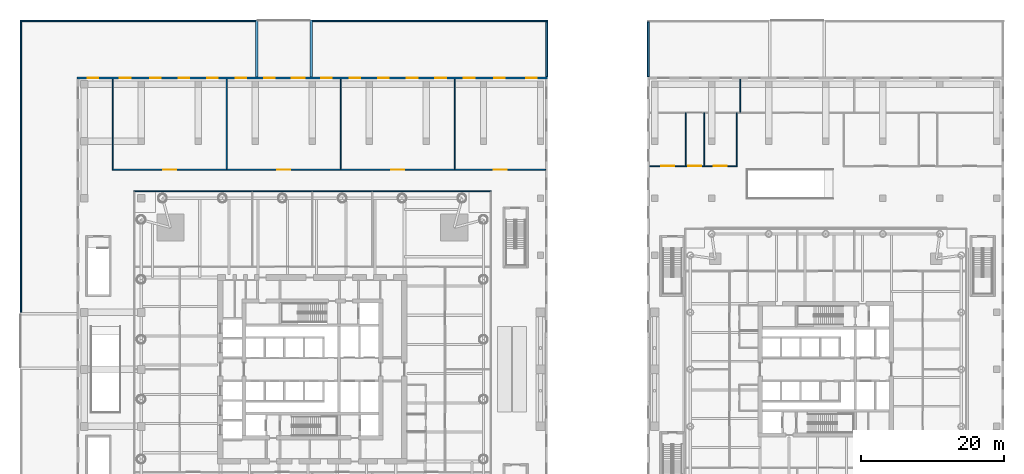
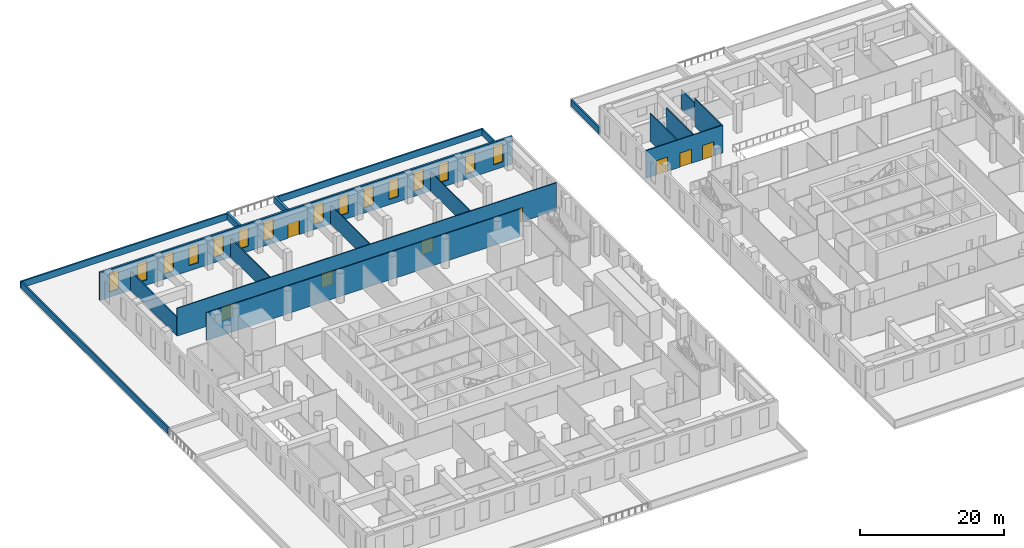
# One storey, part 18 of 26: 19 walls, 15 windows, 8 doors, 23 openings.
"""IFC4 building model written with IfcOpenShell, lengths in metres."""

from ifc_helpers import new_model, si_unit, direction, frame, frame_2d, origin, place, context, subcontext, project, spatial, rectangle, extrude, material, layer, layer_set, type_object, element, fill, save


model = new_model("IFC4")

# Units and contexts
model_context = context("Model", 3, precision=1e-05, world=origin(), true_north=direction((0.0, 1.0)))
body_context = subcontext(model_context, "Body", "Model", "MODEL_VIEW")
ifc_project = project(units=[si_unit("LENGTHUNIT", "METRE"), si_unit("AREAUNIT", "SQUARE_METRE"), si_unit("VOLUMEUNIT", "CUBIC_METRE"), si_unit("PLANEANGLEUNIT", "RADIAN"), si_unit("MASSUNIT", "GRAM", prefix="KILO")], contexts=[model_context])

# Site, building, storey
site_placement = place(None, origin())
site = spatial("IfcSite", under=ifc_project, at=site_placement, CompositionType="ELEMENT")
building_placement = place(site_placement, origin())
building = spatial("IfcBuilding", under=site, at=building_placement, Name="Ostroluk Exchange", CompositionType="ELEMENT")
storey_placement = place(building_placement, frame((0.0, 0.0, 6.0)))
storey = spatial("IfcBuildingStorey", under=building, at=storey_placement, Name="L01", CompositionType="ELEMENT", Elevation=6.0)

# Walls
ifc_material_1 = material(Name="Limestone", Category="masonry")
ifc_layer_1 = layer(ifc_material_1, 0.25)
ifc_layer_set_1 = layer_set([ifc_layer_1], Name="Green roof parapet 250")
wall_type_1 = type_object("IfcWallType", Name="Green roof parapet 250", PredefinedType="PARAPET", material=ifc_layer_set_1)
wall_1_placement = place(storey_placement, frame((4.125, 54.010009765625, 0.0), z_axis=(0.0, 0.0, 1.0), x_axis=(0.0, 1.0, 0.0)))
element("IfcWall", 1, at=wall_1_placement, inside=storey, type_object=wall_type_1, Name="Green roof parapet L01 1", PredefinedType="PARAPET", context=body_context, shape_type="SweptSolid", body=[
    extrude(rectangle(XDim=40.739990234375, YDim=0.25, at=frame_2d((20.3701171875, 0.0))), origin(), (0.0, 0.0, 1.0), 1.10009765625),
])
for number, where, z_axis, x_axis, name in (
    (2, (4.0, 94.875, 0.0), (0.0, 0.0, 1.0), (1.0, 0.0, 0.0), "Green roof parapet L01 2"),
    (3, (45.010009765625, 94.875, 0.0), (0.0, 0.0, 1.0), (1.0, 0.0, 0.0), "Green roof parapet L01 1"),
):
    element("IfcWall", number, at=place(storey_placement, frame(where, z_axis=z_axis, x_axis=x_axis)), inside=storey, type_object=wall_type_1, Name=name, PredefinedType="PARAPET", context=body_context, shape_type="SweptSolid", body=[
        extrude(rectangle(XDim=32.989990234375, YDim=0.25, at=frame_2d((16.4951171875, 0.0))), origin(), (0.0, 0.0, 1.0), 1.10009765625),
    ])
for number, where, z_axis, x_axis, name in (
    (4, (77.875, 87.010009765625, 0.0), (0.0, 0.0, 1.0), (0.0, 1.0, 0.0), "Green roof parapet L01 2"),
    (5, (92.125, 87.010009765625, 0.0), (0.0, 0.0, 1.0), (0.0, 1.0, 0.0), "Green roof parapet L01 1"),
):
    element("IfcWall", number, at=place(storey_placement, frame(where, z_axis=z_axis, x_axis=x_axis)), inside=storey, type_object=wall_type_1, Name=name, PredefinedType="PARAPET", context=body_context, shape_type="SweptSolid", body=[
        extrude(rectangle(XDim=7.739990234375, YDim=0.25, at=frame_2d((3.8701171875, 0.0))), origin(), (0.0, 0.0, 1.0), 1.10009765625),
    ])

# Wall, openings, windows, door
ifc_material_2 = material(Name="Limestone", Category="masonry")
ifc_layer_2 = layer(ifc_material_2, 0.300048828125)
ifc_layer_set_2 = layer_set([ifc_layer_2], Name="Limestone facade wall 300")
wall_type_2 = type_object("IfcWallType", Name="Limestone facade wall 300", PredefinedType="SOLIDWALL", material=ifc_layer_set_2)
wall_2_placement = place(storey_placement, frame((78.0, 86.85009765625, 0.0), z_axis=(0.0, 0.0, 1.0), x_axis=(-1.0, 0.0, 0.0)))
wall_2 = element("IfcWall", 6, at=wall_2_placement, inside=storey, type_object=wall_type_2, Name="Podium west N wall L01 1a", PredefinedType="SOLIDWALL", context=body_context, shape_type="SweptSolid", body=[
    extrude(rectangle(XDim=66.0, YDim=0.300048828125, at=frame_2d((33.0, 0.0))), origin(), (0.0, 0.0, 1.0), 4.699951171875),
])
opening_1_placement = place(wall_2_placement, frame((1.5, 0.0, 0.89990234375)))
opening_1 = element("IfcOpeningElement", 7, at=opening_1_placement, cuts=wall_2, Name="Opening WN-L2", PredefinedType="OPENING", context=body_context, shape_type="SweptSolid", body=[
    extrude(rectangle(XDim=1.5, YDim=3.199951171875, at=frame_2d((0.75, 1.60009765625))), frame((0.0, 0.159912109375, 0.0), z_axis=(0.0, -1.0, 0.0), x_axis=(1.0, 0.0, 0.0)), (0.0, 0.0, 1.0), 0.320068359375),
])
opening_2_placement = place(wall_2_placement, frame((6.0, 0.0, 0.89990234375)))
opening_2 = element("IfcOpeningElement", 8, at=opening_2_placement, cuts=wall_2, Name="Opening WN-L2", PredefinedType="OPENING", context=body_context, shape_type="SweptSolid", body=[
    extrude(rectangle(XDim=1.5, YDim=3.199951171875, at=frame_2d((0.75, 1.60009765625))), frame((0.0, 0.159912109375, 0.0), z_axis=(0.0, -1.0, 0.0), x_axis=(1.0, 0.0, 0.0)), (0.0, 0.0, 1.0), 0.320068359375),
])
opening_3_placement = place(wall_2_placement, frame((10.25, 0.0, 0.89990234375)))
opening_3 = element("IfcOpeningElement", 9, at=opening_3_placement, cuts=wall_2, Name="Opening WN-L2", PredefinedType="OPENING", context=body_context, shape_type="SweptSolid", body=[
    extrude(rectangle(XDim=1.5, YDim=3.199951171875, at=frame_2d((0.75, 1.60009765625))), frame((0.0, 0.159912109375, 0.0), z_axis=(0.0, -1.0, 0.0), x_axis=(1.0, 0.0, 0.0)), (0.0, 0.0, 1.0), 0.320068359375),
])
opening_4_placement = place(wall_2_placement, frame((14.25, 0.0, 0.89990234375)))
opening_4 = element("IfcOpeningElement", 10, at=opening_4_placement, cuts=wall_2, Name="Opening WN-L2", PredefinedType="OPENING", context=body_context, shape_type="SweptSolid", body=[
    extrude(rectangle(XDim=1.5, YDim=3.199951171875, at=frame_2d((0.75, 1.60009765625))), frame((0.0, 0.159912109375, 0.0), z_axis=(0.0, -1.0, 0.0), x_axis=(1.0, 0.0, 0.0)), (0.0, 0.0, 1.0), 0.320068359375),
])
opening_5_placement = place(wall_2_placement, frame((18.25, 0.0, 0.89990234375)))
opening_5 = element("IfcOpeningElement", 11, at=opening_5_placement, cuts=wall_2, Name="Opening WN-L2", PredefinedType="OPENING", context=body_context, shape_type="SweptSolid", body=[
    extrude(rectangle(XDim=1.5, YDim=3.199951171875, at=frame_2d((0.75, 1.60009765625))), frame((0.0, 0.159912109375, 0.0), z_axis=(0.0, -1.0, 0.0), x_axis=(1.0, 0.0, 0.0)), (0.0, 0.0, 1.0), 0.320068359375),
])
opening_6_placement = place(wall_2_placement, frame((22.25, 0.0, 0.89990234375)))
opening_6 = element("IfcOpeningElement", 12, at=opening_6_placement, cuts=wall_2, Name="Opening WN-L2", PredefinedType="OPENING", context=body_context, shape_type="SweptSolid", body=[
    extrude(rectangle(XDim=1.5, YDim=3.199951171875, at=frame_2d((0.75, 1.60009765625))), frame((0.0, 0.159912109375, 0.0), z_axis=(0.0, -1.0, 0.0), x_axis=(1.0, 0.0, 0.0)), (0.0, 0.0, 1.0), 0.320068359375),
])
opening_7_placement = place(wall_2_placement, frame((26.25, 0.0, 0.89990234375)))
opening_7 = element("IfcOpeningElement", 13, at=opening_7_placement, cuts=wall_2, Name="Opening WN-L2", PredefinedType="OPENING", context=body_context, shape_type="SweptSolid", body=[
    extrude(rectangle(XDim=1.5, YDim=3.199951171875, at=frame_2d((0.75, 1.60009765625))), frame((0.0, 0.159912109375, 0.0), z_axis=(0.0, -1.0, 0.0), x_axis=(1.0, 0.0, 0.0)), (0.0, 0.0, 1.0), 0.320068359375),
])
opening_8_placement = place(wall_2_placement, frame((30.25, 0.0, 0.89990234375)))
opening_8 = element("IfcOpeningElement", 14, at=opening_8_placement, cuts=wall_2, Name="Opening WN-L2", PredefinedType="OPENING", context=body_context, shape_type="SweptSolid", body=[
    extrude(rectangle(XDim=1.5, YDim=3.199951171875, at=frame_2d((0.75, 1.60009765625))), frame((0.0, 0.159912109375, 0.0), z_axis=(0.0, -1.0, 0.0), x_axis=(1.0, 0.0, 0.0)), (0.0, 0.0, 1.0), 0.320068359375),
])
opening_9_placement = place(wall_2_placement, frame((34.10009765625, 0.0, 0.0)))
opening_9 = element("IfcOpeningElement", 15, at=opening_9_placement, cuts=wall_2, Name="Opening D-T1", PredefinedType="OPENING", context=body_context, shape_type="SweptSolid", body=[
    extrude(rectangle(XDim=1.800048828125, YDim=2.39990234375, at=frame_2d((0.89990234375, 1.199951171875))), frame((0.0, 0.159912109375, 0.0), z_axis=(0.0, -1.0, 0.0), x_axis=(1.0, 0.0, 0.0)), (0.0, 0.0, 1.0), 0.320068359375),
])
opening_10_placement = place(wall_2_placement, frame((38.25, 0.0, 0.89990234375)))
opening_10 = element("IfcOpeningElement", 16, at=opening_10_placement, cuts=wall_2, Name="Opening WN-L2", PredefinedType="OPENING", context=body_context, shape_type="SweptSolid", body=[
    extrude(rectangle(XDim=1.5, YDim=3.199951171875, at=frame_2d((0.75, 1.60009765625))), frame((0.0, 0.159912109375, 0.0), z_axis=(0.0, -1.0, 0.0), x_axis=(1.0, 0.0, 0.0)), (0.0, 0.0, 1.0), 0.320068359375),
])
opening_11_placement = place(wall_2_placement, frame((42.25, 0.0, 0.89990234375)))
opening_11 = element("IfcOpeningElement", 17, at=opening_11_placement, cuts=wall_2, Name="Opening WN-L2", PredefinedType="OPENING", context=body_context, shape_type="SweptSolid", body=[
    extrude(rectangle(XDim=1.5, YDim=3.199951171875, at=frame_2d((0.75, 1.60009765625))), frame((0.0, 0.159912109375, 0.0), z_axis=(0.0, -1.0, 0.0), x_axis=(1.0, 0.0, 0.0)), (0.0, 0.0, 1.0), 0.320068359375),
])
opening_12_placement = place(wall_2_placement, frame((46.25, 0.0, 0.89990234375)))
opening_12 = element("IfcOpeningElement", 18, at=opening_12_placement, cuts=wall_2, Name="Opening WN-L2", PredefinedType="OPENING", context=body_context, shape_type="SweptSolid", body=[
    extrude(rectangle(XDim=1.5, YDim=3.199951171875, at=frame_2d((0.75, 1.60009765625))), frame((0.0, 0.159912109375, 0.0), z_axis=(0.0, -1.0, 0.0), x_axis=(1.0, 0.0, 0.0)), (0.0, 0.0, 1.0), 0.320068359375),
])
opening_13_placement = place(wall_2_placement, frame((50.25, 0.0, 0.89990234375)))
opening_13 = element("IfcOpeningElement", 19, at=opening_13_placement, cuts=wall_2, Name="Opening WN-L2", PredefinedType="OPENING", context=body_context, shape_type="SweptSolid", body=[
    extrude(rectangle(XDim=1.5, YDim=3.199951171875, at=frame_2d((0.75, 1.60009765625))), frame((0.0, 0.159912109375, 0.0), z_axis=(0.0, -1.0, 0.0), x_axis=(1.0, 0.0, 0.0)), (0.0, 0.0, 1.0), 0.320068359375),
])
opening_14_placement = place(wall_2_placement, frame((54.25, 0.0, 0.89990234375)))
opening_14 = element("IfcOpeningElement", 20, at=opening_14_placement, cuts=wall_2, Name="Opening WN-L2", PredefinedType="OPENING", context=body_context, shape_type="SweptSolid", body=[
    extrude(rectangle(XDim=1.5, YDim=3.199951171875, at=frame_2d((0.75, 1.60009765625))), frame((0.0, 0.159912109375, 0.0), z_axis=(0.0, -1.0, 0.0), x_axis=(1.0, 0.0, 0.0)), (0.0, 0.0, 1.0), 0.320068359375),
])
opening_15_placement = place(wall_2_placement, frame((58.5, 0.0, 0.89990234375)))
opening_15 = element("IfcOpeningElement", 21, at=opening_15_placement, cuts=wall_2, Name="Opening WN-L2", PredefinedType="OPENING", context=body_context, shape_type="SweptSolid", body=[
    extrude(rectangle(XDim=1.5, YDim=3.199951171875, at=frame_2d((0.75, 1.60009765625))), frame((0.0, 0.159912109375, 0.0), z_axis=(0.0, -1.0, 0.0), x_axis=(1.0, 0.0, 0.0)), (0.0, 0.0, 1.0), 0.320068359375),
])
opening_16_placement = place(wall_2_placement, frame((63.0, 0.0, 0.89990234375)))
opening_16 = element("IfcOpeningElement", 22, at=opening_16_placement, cuts=wall_2, Name="Opening WN-L2", PredefinedType="OPENING", context=body_context, shape_type="SweptSolid", body=[
    extrude(rectangle(XDim=1.5, YDim=3.199951171875, at=frame_2d((0.75, 1.60009765625))), frame((0.0, 0.159912109375, 0.0), z_axis=(0.0, -1.0, 0.0), x_axis=(1.0, 0.0, 0.0)), (0.0, 0.0, 1.0), 0.320068359375),
])
ifc_material_3 = material(Name="Laminated clear glass", Category="glass")
window_type = type_object("IfcWindowType", Name="Podium lancet window 1500 x 3200", PartitioningType="DOUBLE_PANEL_VERTICAL", PredefinedType="WINDOW", material=ifc_material_3)
window_1_placement = place(opening_1_placement, origin())
window_1 = element("IfcWindow", 23, at=window_1_placement, inside=storey, type_object=window_type, Name="Podium west lancet window N L01 1.1", OverallHeight=3.199951171875, OverallWidth=1.5, PartitioningType="SINGLE_PANEL", PredefinedType="WINDOW", context=body_context, shape_type="SweptSolid", body=[
    extrude(rectangle(XDim=1.5, YDim=3.199951171875, at=frame_2d((0.75, 1.60009765625))), frame((0.0, 0.030029296875, 0.0), z_axis=(0.0, -1.0, 0.0), x_axis=(1.0, 0.0, 0.0)), (0.0, 0.0, 1.0), 0.06005859375),
])
fill(opening_1, window_1)
window_2_placement = place(opening_2_placement, origin())
window_2 = element("IfcWindow", 24, at=window_2_placement, inside=storey, type_object=window_type, Name="Podium west lancet window N L01 1.2", OverallHeight=3.199951171875, OverallWidth=1.5, PartitioningType="SINGLE_PANEL", PredefinedType="WINDOW", context=body_context, shape_type="SweptSolid", body=[
    extrude(rectangle(XDim=1.5, YDim=3.199951171875, at=frame_2d((0.75, 1.60009765625))), frame((0.0, 0.030029296875, 0.0), z_axis=(0.0, -1.0, 0.0), x_axis=(1.0, 0.0, 0.0)), (0.0, 0.0, 1.0), 0.06005859375),
])
fill(opening_2, window_2)
window_3_placement = place(opening_3_placement, origin())
window_3 = element("IfcWindow", 25, at=window_3_placement, inside=storey, type_object=window_type, Name="Podium west lancet window N L01 2.1", OverallHeight=3.199951171875, OverallWidth=1.5, PartitioningType="SINGLE_PANEL", PredefinedType="WINDOW", context=body_context, shape_type="SweptSolid", body=[
    extrude(rectangle(XDim=1.5, YDim=3.199951171875, at=frame_2d((0.75, 1.60009765625))), frame((0.0, 0.030029296875, 0.0), z_axis=(0.0, -1.0, 0.0), x_axis=(1.0, 0.0, 0.0)), (0.0, 0.0, 1.0), 0.06005859375),
])
fill(opening_3, window_3)
window_4_placement = place(opening_4_placement, origin())
window_4 = element("IfcWindow", 26, at=window_4_placement, inside=storey, type_object=window_type, Name="Podium west lancet window N L01 2.2", OverallHeight=3.199951171875, OverallWidth=1.5, PartitioningType="SINGLE_PANEL", PredefinedType="WINDOW", context=body_context, shape_type="SweptSolid", body=[
    extrude(rectangle(XDim=1.5, YDim=3.199951171875, at=frame_2d((0.75, 1.60009765625))), frame((0.0, 0.030029296875, 0.0), z_axis=(0.0, -1.0, 0.0), x_axis=(1.0, 0.0, 0.0)), (0.0, 0.0, 1.0), 0.06005859375),
])
fill(opening_4, window_4)
window_5_placement = place(opening_5_placement, origin())
window_5 = element("IfcWindow", 27, at=window_5_placement, inside=storey, type_object=window_type, Name="Podium west lancet window N L01 3.1", OverallHeight=3.199951171875, OverallWidth=1.5, PartitioningType="SINGLE_PANEL", PredefinedType="WINDOW", context=body_context, shape_type="SweptSolid", body=[
    extrude(rectangle(XDim=1.5, YDim=3.199951171875, at=frame_2d((0.75, 1.60009765625))), frame((0.0, 0.030029296875, 0.0), z_axis=(0.0, -1.0, 0.0), x_axis=(1.0, 0.0, 0.0)), (0.0, 0.0, 1.0), 0.06005859375),
])
fill(opening_5, window_5)
window_6_placement = place(opening_6_placement, origin())
window_6 = element("IfcWindow", 28, at=window_6_placement, inside=storey, type_object=window_type, Name="Podium west lancet window N L01 3.2", OverallHeight=3.199951171875, OverallWidth=1.5, PartitioningType="SINGLE_PANEL", PredefinedType="WINDOW", context=body_context, shape_type="SweptSolid", body=[
    extrude(rectangle(XDim=1.5, YDim=3.199951171875, at=frame_2d((0.75, 1.60009765625))), frame((0.0, 0.030029296875, 0.0), z_axis=(0.0, -1.0, 0.0), x_axis=(1.0, 0.0, 0.0)), (0.0, 0.0, 1.0), 0.06005859375),
])
fill(opening_6, window_6)
window_7_placement = place(opening_7_placement, origin())
window_7 = element("IfcWindow", 29, at=window_7_placement, inside=storey, type_object=window_type, Name="Podium west lancet window N L01 4.1", OverallHeight=3.199951171875, OverallWidth=1.5, PartitioningType="SINGLE_PANEL", PredefinedType="WINDOW", context=body_context, shape_type="SweptSolid", body=[
    extrude(rectangle(XDim=1.5, YDim=3.199951171875, at=frame_2d((0.75, 1.60009765625))), frame((0.0, 0.030029296875, 0.0), z_axis=(0.0, -1.0, 0.0), x_axis=(1.0, 0.0, 0.0)), (0.0, 0.0, 1.0), 0.06005859375),
])
fill(opening_7, window_7)
window_8_placement = place(opening_8_placement, origin())
window_8 = element("IfcWindow", 30, at=window_8_placement, inside=storey, type_object=window_type, Name="Podium west lancet window N L01 4.2", OverallHeight=3.199951171875, OverallWidth=1.5, PartitioningType="SINGLE_PANEL", PredefinedType="WINDOW", context=body_context, shape_type="SweptSolid", body=[
    extrude(rectangle(XDim=1.5, YDim=3.199951171875, at=frame_2d((0.75, 1.60009765625))), frame((0.0, 0.030029296875, 0.0), z_axis=(0.0, -1.0, 0.0), x_axis=(1.0, 0.0, 0.0)), (0.0, 0.0, 1.0), 0.06005859375),
])
fill(opening_8, window_8)
window_9_placement = place(opening_10_placement, origin())
window_9 = element("IfcWindow", 31, at=window_9_placement, inside=storey, type_object=window_type, Name="Podium west lancet window N L01 5.2", OverallHeight=3.199951171875, OverallWidth=1.5, PartitioningType="SINGLE_PANEL", PredefinedType="WINDOW", context=body_context, shape_type="SweptSolid", body=[
    extrude(rectangle(XDim=1.5, YDim=3.199951171875, at=frame_2d((0.75, 1.60009765625))), frame((0.0, 0.030029296875, 0.0), z_axis=(0.0, -1.0, 0.0), x_axis=(1.0, 0.0, 0.0)), (0.0, 0.0, 1.0), 0.06005859375),
])
fill(opening_10, window_9)
window_10_placement = place(opening_11_placement, origin())
window_10 = element("IfcWindow", 32, at=window_10_placement, inside=storey, type_object=window_type, Name="Podium west lancet window N L01 6.1", OverallHeight=3.199951171875, OverallWidth=1.5, PartitioningType="SINGLE_PANEL", PredefinedType="WINDOW", context=body_context, shape_type="SweptSolid", body=[
    extrude(rectangle(XDim=1.5, YDim=3.199951171875, at=frame_2d((0.75, 1.60009765625))), frame((0.0, 0.030029296875, 0.0), z_axis=(0.0, -1.0, 0.0), x_axis=(1.0, 0.0, 0.0)), (0.0, 0.0, 1.0), 0.06005859375),
])
fill(opening_11, window_10)
window_11_placement = place(opening_12_placement, origin())
window_11 = element("IfcWindow", 33, at=window_11_placement, inside=storey, type_object=window_type, Name="Podium west lancet window N L01 6.2", OverallHeight=3.199951171875, OverallWidth=1.5, PartitioningType="SINGLE_PANEL", PredefinedType="WINDOW", context=body_context, shape_type="SweptSolid", body=[
    extrude(rectangle(XDim=1.5, YDim=3.199951171875, at=frame_2d((0.75, 1.60009765625))), frame((0.0, 0.030029296875, 0.0), z_axis=(0.0, -1.0, 0.0), x_axis=(1.0, 0.0, 0.0)), (0.0, 0.0, 1.0), 0.06005859375),
])
fill(opening_12, window_11)
window_12_placement = place(opening_13_placement, origin())
window_12 = element("IfcWindow", 34, at=window_12_placement, inside=storey, type_object=window_type, Name="Podium west lancet window N L01 7.1", OverallHeight=3.199951171875, OverallWidth=1.5, PartitioningType="SINGLE_PANEL", PredefinedType="WINDOW", context=body_context, shape_type="SweptSolid", body=[
    extrude(rectangle(XDim=1.5, YDim=3.199951171875, at=frame_2d((0.75, 1.60009765625))), frame((0.0, 0.030029296875, 0.0), z_axis=(0.0, -1.0, 0.0), x_axis=(1.0, 0.0, 0.0)), (0.0, 0.0, 1.0), 0.06005859375),
])
fill(opening_13, window_12)
window_13_placement = place(opening_14_placement, origin())
window_13 = element("IfcWindow", 35, at=window_13_placement, inside=storey, type_object=window_type, Name="Podium west lancet window N L01 7.2", OverallHeight=3.199951171875, OverallWidth=1.5, PartitioningType="SINGLE_PANEL", PredefinedType="WINDOW", context=body_context, shape_type="SweptSolid", body=[
    extrude(rectangle(XDim=1.5, YDim=3.199951171875, at=frame_2d((0.75, 1.60009765625))), frame((0.0, 0.030029296875, 0.0), z_axis=(0.0, -1.0, 0.0), x_axis=(1.0, 0.0, 0.0)), (0.0, 0.0, 1.0), 0.06005859375),
])
fill(opening_14, window_13)
window_14_placement = place(opening_15_placement, origin())
window_14 = element("IfcWindow", 36, at=window_14_placement, inside=storey, type_object=window_type, Name="Podium west lancet window N L01 8.1", OverallHeight=3.199951171875, OverallWidth=1.5, PartitioningType="SINGLE_PANEL", PredefinedType="WINDOW", context=body_context, shape_type="SweptSolid", body=[
    extrude(rectangle(XDim=1.5, YDim=3.199951171875, at=frame_2d((0.75, 1.60009765625))), frame((0.0, 0.030029296875, 0.0), z_axis=(0.0, -1.0, 0.0), x_axis=(1.0, 0.0, 0.0)), (0.0, 0.0, 1.0), 0.06005859375),
])
fill(opening_15, window_14)
window_15_placement = place(opening_16_placement, origin())
window_15 = element("IfcWindow", 37, at=window_15_placement, inside=storey, type_object=window_type, Name="Podium west lancet window N L01 8.2", OverallHeight=3.199951171875, OverallWidth=1.5, PartitioningType="SINGLE_PANEL", PredefinedType="WINDOW", context=body_context, shape_type="SweptSolid", body=[
    extrude(rectangle(XDim=1.5, YDim=3.199951171875, at=frame_2d((0.75, 1.60009765625))), frame((0.0, 0.030029296875, 0.0), z_axis=(0.0, -1.0, 0.0), x_axis=(1.0, 0.0, 0.0)), (0.0, 0.0, 1.0), 0.06005859375),
])
fill(opening_16, window_15)
ifc_material_4 = material(Name="Bronze framed glazed door", Category="aluminium")
door_type_1 = type_object("IfcDoorType", Name="Terrace double door 1800 x 2400", OperationType="DOUBLE_DOOR_SINGLE_SWING", PredefinedType="DOOR", material=ifc_material_4)
door_1_placement = place(opening_9_placement, origin())
door_1 = element("IfcDoor", 38, at=door_1_placement, inside=storey, type_object=door_type_1, Name="Podium west terrace door N L01 5", OperationType="DOUBLE_DOOR_SINGLE_SWING", OverallHeight=2.39990234375, OverallWidth=1.800048828125, PredefinedType="DOOR", context=body_context, shape_type="SweptSolid", body=[
    extrude(rectangle(XDim=1.800048828125, YDim=2.39990234375, at=frame_2d((0.89990234375, 1.199951171875))), frame((0.0, 0.02490234375, 0.0), z_axis=(0.0, -1.0, 0.0), x_axis=(1.0, 0.0, 0.0)), (0.0, 0.0, 1.0), 0.050048828125),
])
fill(opening_9, door_1)

# Walls
ifc_material_5 = material(Name="Limestone", Category="masonry")
ifc_layer_3 = layer(ifc_material_5, 0.35009765625)
ifc_layer_set_3 = layer_set([ifc_layer_3], Name="Planter wall 350")
wall_type_3 = type_object("IfcWallType", Name="Planter wall 350", PredefinedType="PARAPET", material=ifc_layer_set_3)
for number, where, z_axis, x_axis, name in (
    (39, (37.175048828125, 87.0, 0.0), (0.0, 0.0, 1.0), (0.0, 1.0, 0.0), "Terrace planter wall L01 1"),
    (40, (44.824951171875, 87.0, 0.0), (0.0, 0.0, 1.0), (0.0, 1.0, 0.0), "Terrace planter wall L01 2"),
):
    element("IfcWall", number, at=place(storey_placement, frame(where, z_axis=z_axis, x_axis=x_axis)), inside=storey, type_object=wall_type_3, Name=name, PredefinedType="PARAPET", context=body_context, shape_type="SweptSolid", body=[
        extrude(rectangle(XDim=8.0, YDim=0.35009765625, at=frame_2d((4.0, 0.0))), origin(), (0.0, 0.0, 1.0), 1.10009765625),
    ])

# Wall, openings, doors
ifc_material_6 = material(Name="Gypsum plasterboard partition", Category="gypsum")
ifc_layer_4 = layer(ifc_material_6, 0.14990234375)
ifc_layer_set_4 = layer_set([ifc_layer_4], Name="Plasterboard partition 150")
wall_type_4 = type_object("IfcWallType", Name="Plasterboard partition 150", PredefinedType="PARTITIONING", material=ifc_layer_set_4)
wall_3_placement = place(storey_placement, frame((16.925048828125, 74.0, 0.0), z_axis=(0.0, 0.0, 1.0), x_axis=(1.0, 0.0, 0.0)))
wall_3 = element("IfcWall", 41, at=wall_3_placement, inside=storey, type_object=wall_type_4, Name="Partition", PredefinedType="PARTITIONING", context=body_context, shape_type="SweptSolid", body=[
    extrude(rectangle(XDim=60.77490234375, YDim=0.14990234375, at=frame_2d((30.387451171875, 0.0))), origin(), (0.0, 0.0, 1.0), 4.699951171875),
])
opening_17_placement = place(wall_3_placement, frame((7.175048828125, 0.0, 0.0)))
opening_17 = element("IfcOpeningElement", 42, at=opening_17_placement, cuts=wall_3, Name="Opening D-04", PredefinedType="OPENING", context=body_context, shape_type="SweptSolid", body=[
    extrude(rectangle(XDim=1.800048828125, YDim=2.39990234375, at=frame_2d((0.89990234375, 1.199951171875))), frame((0.0, 0.0849609375, 0.0), z_axis=(0.0, -1.0, 0.0), x_axis=(1.0, 0.0, 0.0)), (0.0, 0.0, 1.0), 0.169921875),
])
opening_18_placement = place(wall_3_placement, frame((23.175048828125, 0.0, 0.0)))
opening_18 = element("IfcOpeningElement", 43, at=opening_18_placement, cuts=wall_3, Name="Opening D-04", PredefinedType="OPENING", context=body_context, shape_type="SweptSolid", body=[
    extrude(rectangle(XDim=1.800048828125, YDim=2.39990234375, at=frame_2d((0.89990234375, 1.199951171875))), frame((0.0, 0.0849609375, 0.0), z_axis=(0.0, -1.0, 0.0), x_axis=(1.0, 0.0, 0.0)), (0.0, 0.0, 1.0), 0.169921875),
])
opening_19_placement = place(wall_3_placement, frame((39.175048828125, 0.0, 0.0)))
opening_19 = element("IfcOpeningElement", 44, at=opening_19_placement, cuts=wall_3, Name="Opening D-04", PredefinedType="OPENING", context=body_context, shape_type="SweptSolid", body=[
    extrude(rectangle(XDim=1.800048828125, YDim=2.39990234375, at=frame_2d((0.89990234375, 1.199951171875))), frame((0.0, 0.0849609375, 0.0), z_axis=(0.0, -1.0, 0.0), x_axis=(1.0, 0.0, 0.0)), (0.0, 0.0, 1.0), 0.169921875),
])
opening_20_placement = place(wall_3_placement, frame((53.52490234375, 0.0, 0.0)))
opening_20 = element("IfcOpeningElement", 45, at=opening_20_placement, cuts=wall_3, Name="Opening D-04", PredefinedType="OPENING", context=body_context, shape_type="SweptSolid", body=[
    extrude(rectangle(XDim=1.800048828125, YDim=2.39990234375, at=frame_2d((0.89990234375, 1.199951171875))), frame((0.0, 0.0849609375, 0.0), z_axis=(0.0, -1.0, 0.0), x_axis=(1.0, 0.0, 0.0)), (0.0, 0.0, 1.0), 0.169921875),
])
ifc_material_7 = material(Name="Timber", Category="wood")
door_type_2 = type_object("IfcDoorType", Name="Double door 1800 x 2400", OperationType="DOUBLE_DOOR_SINGLE_SWING", PredefinedType="DOOR", material=ifc_material_7)
door_2_placement = place(opening_17_placement, origin())
door_2 = element("IfcDoor", 46, at=door_2_placement, inside=storey, type_object=door_type_2, Name="Retail unit door", OperationType="DOUBLE_DOOR_SINGLE_SWING", OverallHeight=2.39990234375, OverallWidth=1.800048828125, PredefinedType="DOOR", context=body_context, shape_type="SweptSolid", body=[
    extrude(rectangle(XDim=1.800048828125, YDim=2.39990234375, at=frame_2d((0.89990234375, 1.199951171875))), frame((0.0, 0.02490234375, 0.0), z_axis=(0.0, -1.0, 0.0), x_axis=(1.0, 0.0, 0.0)), (0.0, 0.0, 1.0), 0.050048828125),
])
fill(opening_17, door_2)
door_3_placement = place(opening_18_placement, origin())
door_3 = element("IfcDoor", 47, at=door_3_placement, inside=storey, type_object=door_type_2, Name="Retail unit door", OperationType="DOUBLE_DOOR_SINGLE_SWING", OverallHeight=2.39990234375, OverallWidth=1.800048828125, PredefinedType="DOOR", context=body_context, shape_type="SweptSolid", body=[
    extrude(rectangle(XDim=1.800048828125, YDim=2.39990234375, at=frame_2d((0.89990234375, 1.199951171875))), frame((0.0, 0.02490234375, 0.0), z_axis=(0.0, -1.0, 0.0), x_axis=(1.0, 0.0, 0.0)), (0.0, 0.0, 1.0), 0.050048828125),
])
fill(opening_18, door_3)
door_4_placement = place(opening_19_placement, origin())
door_4 = element("IfcDoor", 48, at=door_4_placement, inside=storey, type_object=door_type_2, Name="Retail unit door", OperationType="DOUBLE_DOOR_SINGLE_SWING", OverallHeight=2.39990234375, OverallWidth=1.800048828125, PredefinedType="DOOR", context=body_context, shape_type="SweptSolid", body=[
    extrude(rectangle(XDim=1.800048828125, YDim=2.39990234375, at=frame_2d((0.89990234375, 1.199951171875))), frame((0.0, 0.02490234375, 0.0), z_axis=(0.0, -1.0, 0.0), x_axis=(1.0, 0.0, 0.0)), (0.0, 0.0, 1.0), 0.050048828125),
])
fill(opening_19, door_4)
door_5_placement = place(opening_20_placement, origin())
door_5 = element("IfcDoor", 49, at=door_5_placement, inside=storey, type_object=door_type_2, Name="Goods store door", OperationType="DOUBLE_DOOR_SINGLE_SWING", OverallHeight=2.39990234375, OverallWidth=1.800048828125, PredefinedType="DOOR", context=body_context, shape_type="SweptSolid", body=[
    extrude(rectangle(XDim=1.800048828125, YDim=2.39990234375, at=frame_2d((0.89990234375, 1.199951171875))), frame((0.0, 0.02490234375, 0.0), z_axis=(0.0, -1.0, 0.0), x_axis=(1.0, 0.0, 0.0)), (0.0, 0.0, 1.0), 0.050048828125),
])
fill(opening_20, door_5)

# Walls
for number, where, z_axis, x_axis, name in (
    (50, (17.0, 74.074951171875, 0.0), (0.0, 0.0, 1.0), (0.0, 1.0, 0.0), "Partition"),
    (51, (33.0, 74.074951171875, 0.0), (0.0, 0.0, 1.0), (0.0, 1.0, 0.0), "Partition"),
    (52, (49.0, 74.074951171875, 0.0), (0.0, 0.0, 1.0), (0.0, 1.0, 0.0), "Partition"),
    (53, (65.0, 74.074951171875, 0.0), (0.0, 0.0, 1.0), (0.0, 1.0, 0.0), "Partition"),
):
    element("IfcWall", number, at=place(storey_placement, frame(where, z_axis=z_axis, x_axis=x_axis)), inside=storey, type_object=wall_type_4, Name=name, PredefinedType="PARTITIONING", context=body_context, shape_type="SweptSolid", body=[
        extrude(rectangle(XDim=12.625, YDim=0.14990234375, at=frame_2d((6.3125, 0.0))), origin(), (0.0, 0.0, 1.0), 3.199951171875),
    ])
wall_4_placement = place(storey_placement, frame((105.0, 82.074951171875, 0.0), z_axis=(0.0, 0.0, 1.0), x_axis=(0.0, 1.0, 0.0)))
element("IfcWall", 54, at=wall_4_placement, inside=storey, type_object=wall_type_4, Name="Partition", PredefinedType="PARTITIONING", context=body_context, shape_type="SweptSolid", body=[
    extrude(rectangle(XDim=4.625, YDim=0.14990234375, at=frame_2d((2.3125, 0.0))), origin(), (0.0, 0.0, 1.0), 3.199951171875),
])
wall_5_placement = place(storey_placement, frame((19.925048828125, 71.0, 0.0), z_axis=(0.0, 0.0, 1.0), x_axis=(1.0, 0.0, 0.0)))
element("IfcWall", 55, at=wall_5_placement, inside=storey, type_object=wall_type_4, Name="Partition", PredefinedType="PARTITIONING", context=body_context, shape_type="SweptSolid", body=[
    extrude(rectangle(XDim=50.14990234375, YDim=0.14990234375, at=frame_2d((25.074951171875, 0.0))), origin(), (0.0, 0.0, 1.0), 4.699951171875),
])

# Wall, openings, doors
wall_6_placement = place(storey_placement, frame((92.300048828125, 74.5, 0.0), z_axis=(0.0, 0.0, 1.0), x_axis=(1.0, 0.0, 0.0)))
wall_6 = element("IfcWall", 56, at=wall_6_placement, inside=storey, type_object=wall_type_4, Name="Partition", PredefinedType="PARTITIONING", context=body_context, shape_type="SweptSolid", body=[
    extrude(rectangle(XDim=12.27490234375, YDim=0.14990234375, at=frame_2d((6.137451171875, 0.0))), origin(), (0.0, 0.0, 1.0), 4.699951171875),
])
opening_21_placement = place(wall_6_placement, frame((1.625, 0.0, 0.0)))
opening_21 = element("IfcOpeningElement", 57, at=opening_21_placement, cuts=wall_6, Name="Opening D-04", PredefinedType="OPENING", context=body_context, shape_type="SweptSolid", body=[
    extrude(rectangle(XDim=1.800048828125, YDim=2.39990234375, at=frame_2d((0.89990234375, 1.199951171875))), frame((0.0, 0.0849609375, 0.0), z_axis=(0.0, -1.0, 0.0), x_axis=(1.0, 0.0, 0.0)), (0.0, 0.0, 1.0), 0.169921875),
])
opening_22_placement = place(wall_6_placement, frame((5.449951171875, 0.0, 0.0)))
opening_22 = element("IfcOpeningElement", 58, at=opening_22_placement, cuts=wall_6, Name="Opening D-04", PredefinedType="OPENING", context=body_context, shape_type="SweptSolid", body=[
    extrude(rectangle(XDim=1.800048828125, YDim=2.39990234375, at=frame_2d((0.89990234375, 1.199951171875))), frame((0.0, 0.0849609375, 0.0), z_axis=(0.0, -1.0, 0.0), x_axis=(1.0, 0.0, 0.0)), (0.0, 0.0, 1.0), 0.169921875),
])
opening_23_placement = place(wall_6_placement, frame((9.02490234375, 0.0, 0.0)))
opening_23 = element("IfcOpeningElement", 59, at=opening_23_placement, cuts=wall_6, Name="Opening D-04", PredefinedType="OPENING", context=body_context, shape_type="SweptSolid", body=[
    extrude(rectangle(XDim=1.800048828125, YDim=2.39990234375, at=frame_2d((0.89990234375, 1.199951171875))), frame((0.0, 0.0849609375, 0.0), z_axis=(0.0, -1.0, 0.0), x_axis=(1.0, 0.0, 0.0)), (0.0, 0.0, 1.0), 0.169921875),
])
door_6_placement = place(opening_21_placement, origin())
door_6 = element("IfcDoor", 60, at=door_6_placement, inside=storey, type_object=door_type_2, Name="Goods store door", OperationType="DOUBLE_DOOR_SINGLE_SWING", OverallHeight=2.39990234375, OverallWidth=1.800048828125, PredefinedType="DOOR", context=body_context, shape_type="SweptSolid", body=[
    extrude(rectangle(XDim=1.800048828125, YDim=2.39990234375, at=frame_2d((0.89990234375, 1.199951171875))), frame((0.0, 0.02490234375, 0.0), z_axis=(0.0, -1.0, 0.0), x_axis=(1.0, 0.0, 0.0)), (0.0, 0.0, 1.0), 0.050048828125),
])
fill(opening_21, door_6)
door_7_placement = place(opening_22_placement, origin())
door_7 = element("IfcDoor", 61, at=door_7_placement, inside=storey, type_object=door_type_2, Name="Arcade passage door", OperationType="DOUBLE_DOOR_SINGLE_SWING", OverallHeight=2.39990234375, OverallWidth=1.800048828125, PredefinedType="DOOR", context=body_context, shape_type="SweptSolid", body=[
    extrude(rectangle(XDim=1.800048828125, YDim=2.39990234375, at=frame_2d((0.89990234375, 1.199951171875))), frame((0.0, 0.02490234375, 0.0), z_axis=(0.0, -1.0, 0.0), x_axis=(1.0, 0.0, 0.0)), (0.0, 0.0, 1.0), 0.050048828125),
])
fill(opening_22, door_7)
door_8_placement = place(opening_23_placement, origin())
door_8 = element("IfcDoor", 62, at=door_8_placement, inside=storey, type_object=door_type_2, Name="Goods store door", OperationType="DOUBLE_DOOR_SINGLE_SWING", OverallHeight=2.39990234375, OverallWidth=1.800048828125, PredefinedType="DOOR", context=body_context, shape_type="SweptSolid", body=[
    extrude(rectangle(XDim=1.800048828125, YDim=2.39990234375, at=frame_2d((0.89990234375, 1.199951171875))), frame((0.0, 0.02490234375, 0.0), z_axis=(0.0, -1.0, 0.0), x_axis=(1.0, 0.0, 0.0)), (0.0, 0.0, 1.0), 0.050048828125),
])
fill(opening_23, door_8)

# Walls
for number, where, z_axis, x_axis, name in (
    (63, (104.5, 74.574951171875, 0.0), (0.0, 0.0, 1.0), (0.0, 1.0, 0.0), "Partition"),
    (64, (97.35009765625, 74.574951171875, 0.0), (0.0, 0.0, 1.0), (0.0, 1.0, 0.0), "Partition"),
    (65, (99.949951171875, 74.574951171875, 0.0), (0.0, 0.0, 1.0), (0.0, 1.0, 0.0), "Partition"),
):
    element("IfcWall", number, at=place(storey_placement, frame(where, z_axis=z_axis, x_axis=x_axis)), inside=storey, type_object=wall_type_4, Name=name, PredefinedType="PARTITIONING", context=body_context, shape_type="SweptSolid", body=[
        extrude(rectangle(XDim=7.425048828125, YDim=0.14990234375, at=frame_2d((3.71240234375, 0.0))), origin(), (0.0, 0.0, 1.0), 4.699951171875),
    ])

save(model, "model.ifc")
